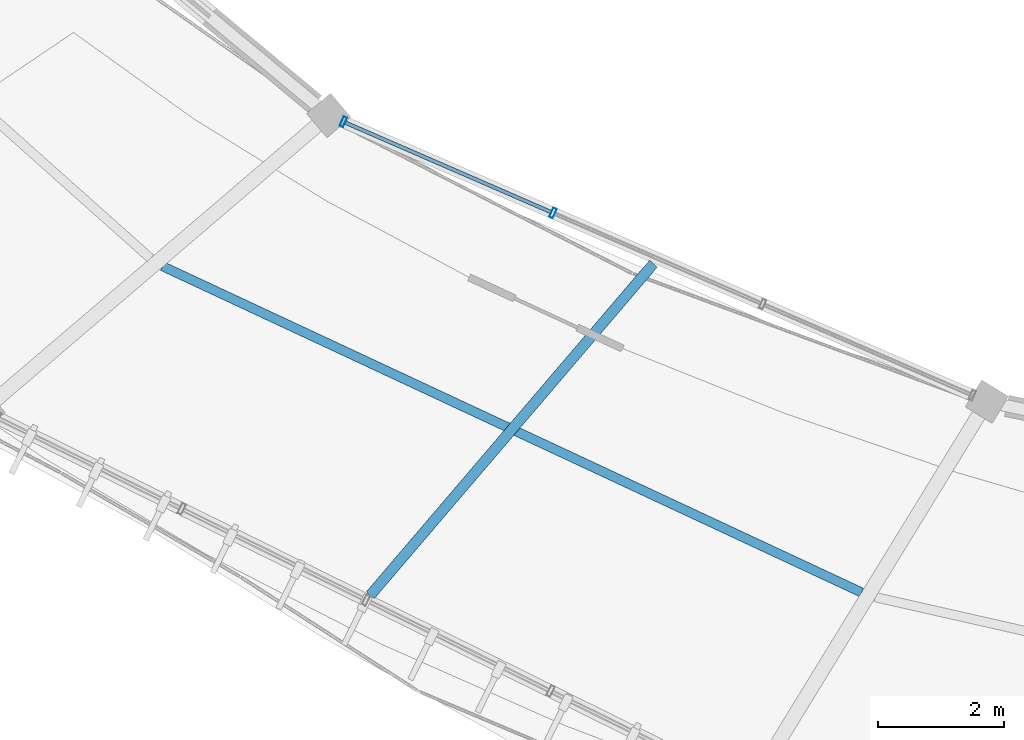
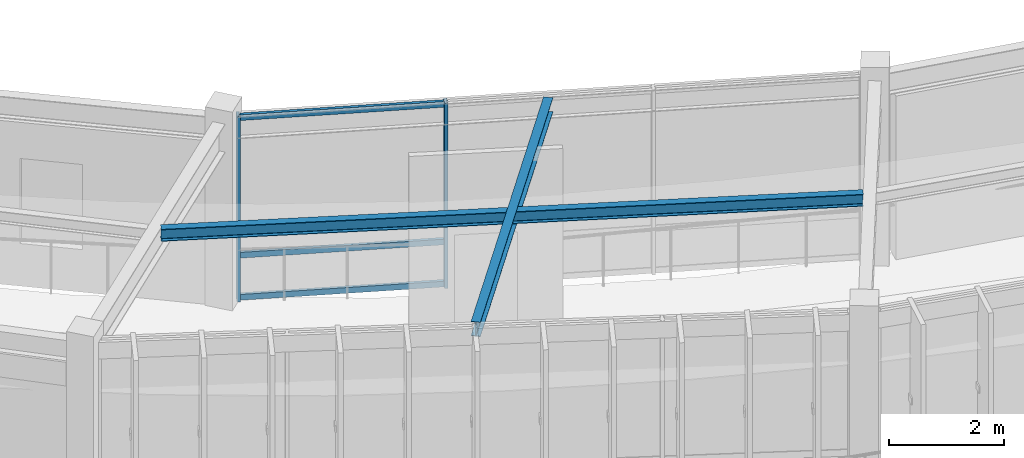
# One storey, part 6 of 78: 5 members, 2 beams, 1 element without a shape of its own.
"""IFC4 building model written with IfcOpenShell, lengths in metres."""

from ifc_helpers import new_model, si_unit, direction, frame, origin, origin_2d, place, context, subcontext, project, spatial, hollow_rectangle, i_section, extrude, material, material_profile, profile_set, type_object, element, aggregate, save


model = new_model("IFC4")

# Units and contexts
model_context = context("Model", 3, precision=1e-05, world=origin(), true_north=direction((0.0, 1.0)))
body_context = subcontext(model_context, "Body", "Model", "MODEL_VIEW")
ifc_project = project(units=[si_unit("LENGTHUNIT", "METRE"), si_unit("AREAUNIT", "SQUARE_METRE"), si_unit("VOLUMEUNIT", "CUBIC_METRE"), si_unit("PLANEANGLEUNIT", "RADIAN"), si_unit("MASSUNIT", "GRAM", prefix="KILO"), si_unit("THERMODYNAMICTEMPERATUREUNIT", "KELVIN"), si_unit("POWERUNIT", "WATT")], contexts=[model_context])

# Site, building, storey
site_placement = place(None, origin())
site = spatial("IfcSite", under=ifc_project, at=site_placement, CompositionType="ELEMENT")
building_placement = place(site_placement, origin())
building = spatial("IfcBuilding", under=site, at=building_placement, Name="Darbajah Civic Hall", CompositionType="ELEMENT")
storey_placement = place(building_placement, frame((0.0, 0.0, 26.39990234375)))
storey = spatial("IfcBuildingStorey", under=building, at=storey_placement, Name="L06", CompositionType="ELEMENT", Elevation=26.39990234375)

# Curtain wall, members
ifc_material_1 = material(Name="Anodised Bronze Aluminium and Low-E Glazing", Category="aluminium")
curtain_wall_type = type_object("IfcCurtainWallType", Name="Unitised Curtain Wall CW-63 10900x3900", PredefinedType="USERDEFINED", material=ifc_material_1)
curtain_wall_placement = place(storey_placement, origin())
curtain_wall = element("IfcCurtainWall", 1, at=curtain_wall_placement, inside=storey, type_object=curtain_wall_type, Name="L06 unitised curtain wall CW-V1I-L06-12", ObjectType="UNITISED CURTAIN WALL", PredefinedType="USERDEFINED")
ifc_material_2 = material(Name="Anodised Bronze Aluminium", Category="aluminium")
ifc_material_profile_1 = material_profile(ifc_material_2, hollow_rectangle(XDim=0.06005859375, YDim=0.159912109375, WallThickness=0.00341796875, at=origin_2d()), Name="ALU MULLION 60x160")
ifc_profile_set_1 = profile_set([ifc_material_profile_1], Name="Anodised Bronze Aluminium")
member_type_1 = type_object("IfcMemberType", Name="ALU MULLION 60x160", PredefinedType="MULLION", material=ifc_profile_set_1)
member_1_placement = place(storey_placement, frame((56.025390625, 75.216796875, 0.0), z_axis=(0.0, 0.0, 1.0), x_axis=(0.917060074385, -0.398749068925, 0.0)))
member_1 = element("IfcMember", 2, at=member_1_placement, type_object=member_type_1, Name="CW-V1I-L06-12 mullion 1", PredefinedType="MULLION", context=body_context, shape_type="SweptSolid", body=[
    extrude(hollow_rectangle(XDim=0.06005859375, YDim=0.159912109375, WallThickness=0.00341796875, at=origin_2d()), origin(), (0.0, 0.0, 1.0), 3.920166015625),
])
member_2_placement = place(storey_placement, frame((59.3447265625, 73.7734375, 0.0), z_axis=(0.0, 0.0, 1.0), x_axis=(0.917060074385, -0.398749068925, 0.0)))
member_2 = element("IfcMember", 3, at=member_2_placement, type_object=member_type_1, Name="CW-V1I-L06-12 mullion 2", PredefinedType="MULLION", context=body_context, shape_type="SweptSolid", body=[
    extrude(hollow_rectangle(XDim=0.06005859375, YDim=0.159912109375, WallThickness=0.00341796875, at=origin_2d()), origin(), (0.0, 0.0, 1.0), 3.920166015625),
])
ifc_material_profile_2 = material_profile(ifc_material_2, hollow_rectangle(XDim=0.06005859375, YDim=0.1201171875, WallThickness=0.003173828125, at=origin_2d()), Name="ALU TRANSOM 60x120")
ifc_profile_set_2 = profile_set([ifc_material_profile_2], Name="Anodised Bronze Aluminium")
member_type_2 = type_object("IfcMemberType", Name="ALU TRANSOM 60x120", PredefinedType="USERDEFINED", material=ifc_profile_set_2)
member_3_placement = place(storey_placement, frame((56.057373046875, 75.202880859375, 0.06005859375), z_axis=(0.917043810704, -0.398786470746, 0.0), x_axis=(0.398786470746, 0.917043810704, 0.0)))
member_3 = element("IfcMember", 4, at=member_3_placement, type_object=member_type_2, Name="CW-V1I-L06-12 transom 1.1", ObjectType="TRANSOM", PredefinedType="USERDEFINED", context=body_context, shape_type="SweptSolid", body=[
    extrude(hollow_rectangle(XDim=0.06005859375, YDim=0.1201171875, WallThickness=0.003173828125, at=origin_2d()), origin(), (0.0, 0.0, 1.0), 3.549560546875),
])
member_4_placement = place(storey_placement, frame((56.057373046875, 75.202880859375, 0.9501953125), z_axis=(0.917043810704, -0.398786470746, 0.0), x_axis=(0.398786470746, 0.917043810704, 0.0)))
member_4 = element("IfcMember", 5, at=member_4_placement, type_object=member_type_2, Name="CW-V1I-L06-12 transom 1.2", ObjectType="TRANSOM", PredefinedType="USERDEFINED", context=body_context, shape_type="SweptSolid", body=[
    extrude(hollow_rectangle(XDim=0.06005859375, YDim=0.1201171875, WallThickness=0.003173828125, at=origin_2d()), origin(), (0.0, 0.0, 1.0), 3.549560546875),
])
member_5_placement = place(storey_placement, frame((56.057373046875, 75.202880859375, 3.860107421875), z_axis=(0.917043810704, -0.398786470746, 0.0), x_axis=(0.398786470746, 0.917043810704, 0.0)))
member_5 = element("IfcMember", 6, at=member_5_placement, type_object=member_type_2, Name="CW-V1I-L06-12 transom 1.3", ObjectType="TRANSOM", PredefinedType="USERDEFINED", context=body_context, shape_type="SweptSolid", body=[
    extrude(hollow_rectangle(XDim=0.06005859375, YDim=0.1201171875, WallThickness=0.003173828125, at=origin_2d()), origin(), (0.0, 0.0, 1.0), 3.549560546875),
])
aggregate(curtain_wall, [member_1, member_2, member_3, member_4, member_5])

# Beams
ifc_material_3 = material(Name="Steel S355JR", Category="steel")
ifc_material_profile_3 = material_profile(ifc_material_3, i_section(OverallWidth=0.146484375, OverallDepth=0.256103515625, WebThickness=0.00634765625, FlangeThickness=0.010986328125, FilletRadius=0.007568359375, at=origin_2d()), Name="UB 254x146x37")
ifc_profile_set_3 = profile_set([ifc_material_profile_3], Name="Steel S355JR")
beam_type_1 = type_object("IfcBeamType", Name="UB 254x146x37", PredefinedType="JOIST", material=ifc_profile_set_3)
beam_1_placement = place(storey_placement, frame((53.161865234375, 72.93017578125, 3.7919921875), z_axis=(0.9061795649, -0.422893126164, 0.0), x_axis=(0.422893126164, 0.9061795649, 0.0)))
element("IfcBeam", 7, at=beam_1_placement, inside=storey, type_object=beam_type_1, Name="L06 beam SJ-254", PredefinedType="JOIST", context=body_context, shape_type="SweptSolid", body=[
    extrude(i_section(OverallWidth=0.146484375, OverallDepth=0.256103515625, WebThickness=0.00634765625, FlangeThickness=0.010986328125, FilletRadius=0.007568359375, at=origin_2d()), origin(), (0.0, 0.0, 1.0), 12.21240234375),
])
ifc_material_profile_4 = material_profile(ifc_material_3, i_section(OverallWidth=0.165771484375, OverallDepth=0.306640625, WebThickness=0.006591796875, FlangeThickness=0.01171875, FilletRadius=0.0087890625, at=origin_2d()), Name="UB 305x165x46")
ifc_profile_set_4 = profile_set([ifc_material_profile_4], Name="Steel S355JR")
beam_type_2 = type_object("IfcBeamType", Name="UB 305x165x46", PredefinedType="JOIST", material=ifc_profile_set_4)
beam_2_placement = place(storey_placement, frame((60.935546875, 72.97119140625, 3.766845703125), z_axis=(-0.649438991654, -0.760413700639, 0.0), x_axis=(0.760413700639, -0.649438991654, 0.0)))
element("IfcBeam", 8, at=beam_2_placement, inside=storey, type_object=beam_type_2, Name="L06 beam SJ-305", PredefinedType="JOIST", context=body_context, shape_type="SweptSolid", body=[
    extrude(i_section(OverallWidth=0.165771484375, OverallDepth=0.306640625, WebThickness=0.006591796875, FlangeThickness=0.01171875, FilletRadius=0.0087890625, at=origin_2d()), origin(), (0.0, 0.0, 1.0), 6.903564453125),
])

save(model, "model.ifc")
